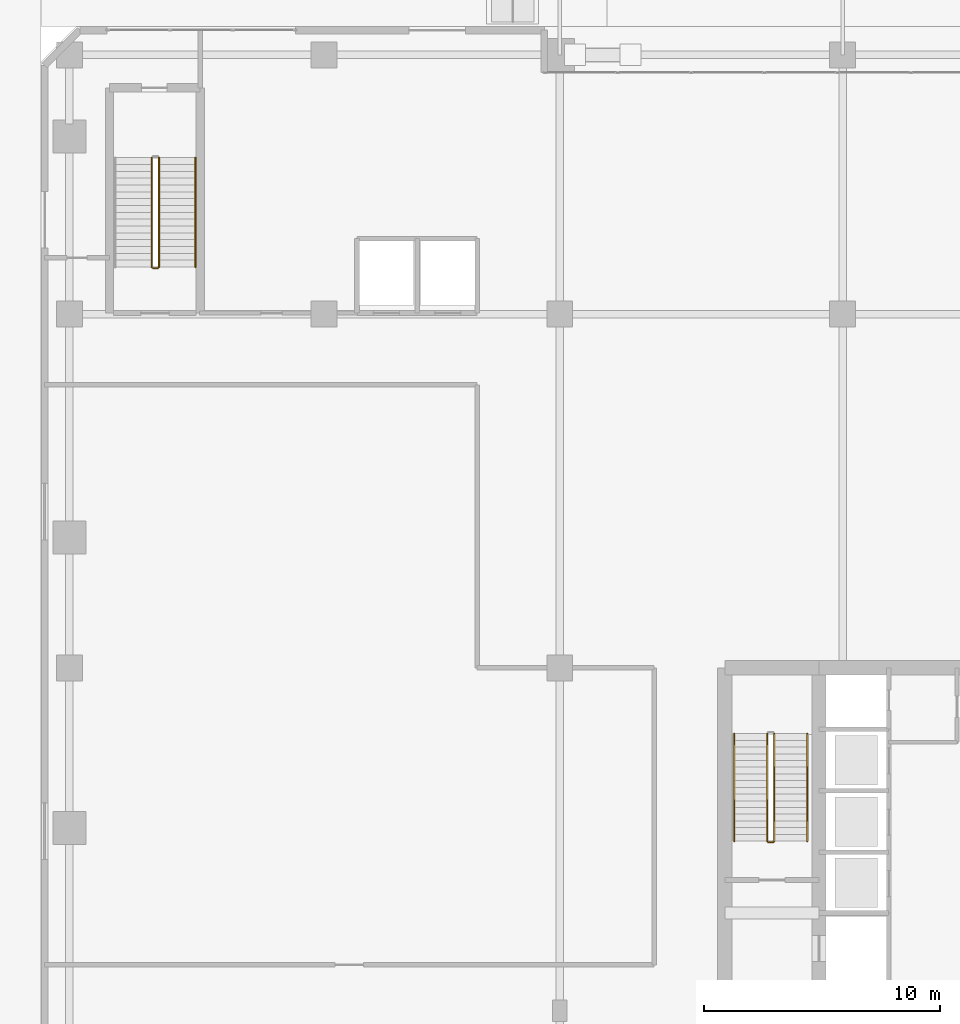
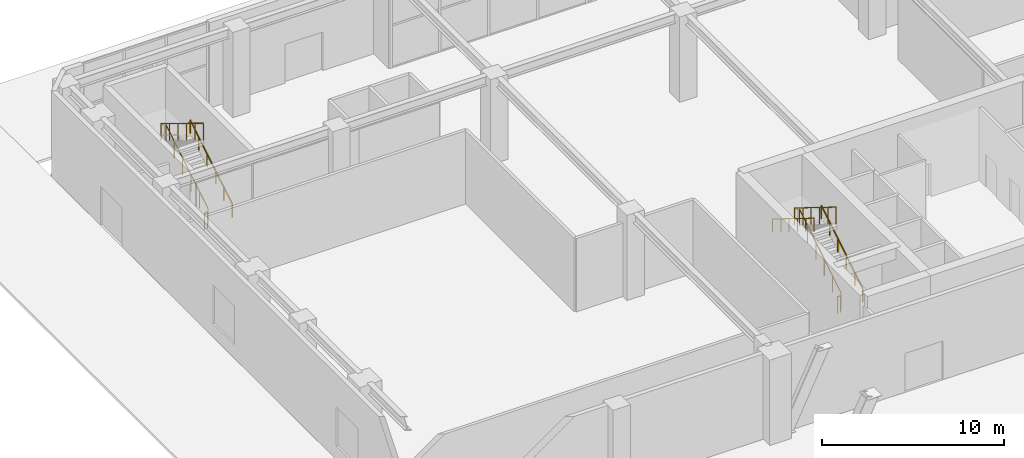
# One storey, part 43 of 49: 9 railings.
"""IFC4 building model written with IfcOpenShell, lengths in metres."""

from ifc_helpers import new_model, si_unit, direction, frame, origin, origin_2d, place, context, subcontext, project, spatial, rectangle, extrude, material, type_object, element, save


model = new_model("IFC4")

# Units and contexts
model_context = context("Model", 3, precision=1e-05, world=origin(), true_north=direction((0.0, 1.0)))
body_context = subcontext(model_context, "Body", "Model", "MODEL_VIEW")
ifc_project = project(units=[si_unit("LENGTHUNIT", "METRE"), si_unit("AREAUNIT", "SQUARE_METRE"), si_unit("VOLUMEUNIT", "CUBIC_METRE"), si_unit("PLANEANGLEUNIT", "RADIAN"), si_unit("MASSUNIT", "GRAM", prefix="KILO")], contexts=[model_context])

# Site, building, storey
site_placement = place(None, origin())
site = spatial("IfcSite", under=ifc_project, at=site_placement, CompositionType="ELEMENT")
building_placement = place(site_placement, origin())
building = spatial("IfcBuilding", under=site, at=building_placement, Name="Sarneth Arch Tower", CompositionType="ELEMENT")
storey_placement = place(building_placement, origin())
storey = spatial("IfcBuildingStorey", under=building, at=storey_placement, Name="L00", CompositionType="ELEMENT", Elevation=0.0)

# Railings
ifc_material_1 = material(Name="Brushed Stainless Steel 304 tubular handrail", Category="steel")
railing_type_1 = type_object("IfcRailingType", Name="RAIL-HANDRAIL-900", PredefinedType="HANDRAIL", material=ifc_material_1)
railing_1_placement = place(storey_placement, frame((40.5, 41.449951171875, 0.176513671875)))
element("IfcRailing", 1, at=railing_1_placement, inside=storey, type_object=railing_type_1, Name="L00 ST-1 stair handrail 1", PredefinedType="HANDRAIL", context=body_context, shape_type="SweptSolid", body=[
    extrude(rectangle(XDim=0.048095703125, YDim=0.048095703125, at=origin_2d()), frame((0.0, 0.0, 0.8759765625), z_axis=(0.0, 0.850215668316, 0.526434532824), x_axis=(-1.0, 0.0, 0.0)), (0.0, 0.0, 1.0), 5.363525390625),
    extrude(rectangle(XDim=0.0419921875, YDim=0.0419921875, at=origin_2d()), origin(), (0.0, 0.0, 1.0), 0.851806640625),
    extrude(rectangle(XDim=0.0419921875, YDim=0.0419921875, at=origin_2d()), frame((0.0, 0.912109375, 0.564697265625)), (0.0, 0.0, 1.0), 0.851806640625),
    extrude(rectangle(XDim=0.0419921875, YDim=0.0419921875, at=origin_2d()), frame((0.0, 1.823974609375, 1.12939453125)), (0.0, 0.0, 1.0), 0.851806640625),
    extrude(rectangle(XDim=0.0419921875, YDim=0.0419921875, at=origin_2d()), frame((0.0, 2.736083984375, 1.694091796875)), (0.0, 0.0, 1.0), 0.851806640625),
    extrude(rectangle(XDim=0.0419921875, YDim=0.0419921875, at=origin_2d()), frame((0.0, 3.64794921875, 2.2587890625)), (0.0, 0.0, 1.0), 0.851806640625),
    extrude(rectangle(XDim=0.0419921875, YDim=0.0419921875, at=origin_2d()), frame((0.0, 4.56005859375, 2.823486328125)), (0.0, 0.0, 1.0), 0.851806640625),
])
railing_2_placement = place(storey_placement, frame((37.39990234375, 46.010009765625, 3.176513671875)))
element("IfcRailing", 2, at=railing_2_placement, inside=storey, type_object=railing_type_1, Name="L00 ST-1 stair handrail 2", PredefinedType="HANDRAIL", context=body_context, shape_type="SweptSolid", body=[
    extrude(rectangle(XDim=0.048095703125, YDim=0.048095703125, at=origin_2d()), frame((0.0, 0.0, 0.8759765625), z_axis=(0.0, -0.850215668316, 0.526434532824), x_axis=(1.0, 0.0, 0.0)), (0.0, 0.0, 1.0), 5.363525390625),
    extrude(rectangle(XDim=0.0419921875, YDim=0.0419921875, at=origin_2d()), origin(), (0.0, 0.0, 1.0), 0.851806640625),
    extrude(rectangle(XDim=0.0419921875, YDim=0.0419921875, at=origin_2d()), frame((0.0, -0.912109375, 0.564697265625)), (0.0, 0.0, 1.0), 0.851806640625),
    extrude(rectangle(XDim=0.0419921875, YDim=0.0419921875, at=origin_2d()), frame((0.0, -1.823974609375, 1.12939453125)), (0.0, 0.0, 1.0), 0.851806640625),
    extrude(rectangle(XDim=0.0419921875, YDim=0.0419921875, at=origin_2d()), frame((0.0, -2.736083984375, 1.694091796875)), (0.0, 0.0, 1.0), 0.851806640625),
    extrude(rectangle(XDim=0.0419921875, YDim=0.0419921875, at=origin_2d()), frame((0.0, -3.64794921875, 2.2587890625)), (0.0, 0.0, 1.0), 0.851806640625),
    extrude(rectangle(XDim=0.0419921875, YDim=0.0419921875, at=origin_2d()), frame((0.0, -4.56005859375, 2.823486328125)), (0.0, 0.0, 1.0), 0.851806640625),
])
railing_3_placement = place(storey_placement, frame((14.550048828125, 65.800048828125, 0.176513671875)))
element("IfcRailing", 3, at=railing_3_placement, inside=storey, type_object=railing_type_1, Name="L00 ST-P1 stair handrail 1", PredefinedType="HANDRAIL", context=body_context, shape_type="SweptSolid", body=[
    extrude(rectangle(XDim=0.048095703125, YDim=0.048095703125, at=origin_2d()), frame((0.0, 0.0, 0.8759765625), z_axis=(0.0, 0.854263648073, 0.51983999421), x_axis=(-1.0, 0.0, 0.0)), (0.0, 0.0, 1.0), 5.431396484375),
    extrude(rectangle(XDim=0.0419921875, YDim=0.0419921875, at=origin_2d()), origin(), (0.0, 0.0, 1.0), 0.851806640625),
    extrude(rectangle(XDim=0.0419921875, YDim=0.0419921875, at=origin_2d()), frame((0.0, 0.927978515625, 0.564697265625)), (0.0, 0.0, 1.0), 0.851806640625),
    extrude(rectangle(XDim=0.0419921875, YDim=0.0419921875, at=origin_2d()), frame((0.0, 1.85595703125, 1.12939453125)), (0.0, 0.0, 1.0), 0.851806640625),
    extrude(rectangle(XDim=0.0419921875, YDim=0.0419921875, at=origin_2d()), frame((0.0, 2.783935546875, 1.694091796875)), (0.0, 0.0, 1.0), 0.851806640625),
    extrude(rectangle(XDim=0.0419921875, YDim=0.0419921875, at=origin_2d()), frame((0.0, 3.7119140625, 2.2587890625)), (0.0, 0.0, 1.0), 0.851806640625),
    extrude(rectangle(XDim=0.0419921875, YDim=0.0419921875, at=origin_2d()), frame((0.0, 4.639892578125, 2.823486328125)), (0.0, 0.0, 1.0), 0.851806640625),
])
ifc_material_2 = material(Name="Painted Steel S275 stair well guard", Category="steel")
railing_type_2 = type_object("IfcRailingType", Name="RAIL-STAIR-GUARD", PredefinedType="GUARDRAIL", material=ifc_material_2)
railing_4_placement = place(storey_placement, frame((39.10009765625, 41.449951171875, 0.176513671875)))
element("IfcRailing", 4, at=railing_4_placement, inside=storey, type_object=railing_type_2, Name="L00 ST-1 stair guard 1", PredefinedType="GUARDRAIL", context=body_context, shape_type="SweptSolid", body=[
    extrude(rectangle(XDim=0.048095703125, YDim=0.048095703125, at=origin_2d()), frame((0.0, 0.0, 1.1259765625), z_axis=(0.0, 0.850215668316, 0.526434532824), x_axis=(-1.0, 0.0, 0.0)), (0.0, 0.0, 1.0), 5.363525390625),
    extrude(rectangle(XDim=0.0419921875, YDim=0.0419921875, at=origin_2d()), origin(), (0.0, 0.0, 1.0), 1.101806640625),
    extrude(rectangle(XDim=0.0419921875, YDim=0.0419921875, at=origin_2d()), frame((0.0, 0.912109375, 0.564697265625)), (0.0, 0.0, 1.0), 1.101806640625),
    extrude(rectangle(XDim=0.0419921875, YDim=0.0419921875, at=origin_2d()), frame((0.0, 1.823974609375, 1.12939453125)), (0.0, 0.0, 1.0), 1.101806640625),
    extrude(rectangle(XDim=0.0419921875, YDim=0.0419921875, at=origin_2d()), frame((0.0, 2.736083984375, 1.694091796875)), (0.0, 0.0, 1.0), 1.101806640625),
    extrude(rectangle(XDim=0.0419921875, YDim=0.0419921875, at=origin_2d()), frame((0.0, 3.64794921875, 2.2587890625)), (0.0, 0.0, 1.0), 1.101806640625),
    extrude(rectangle(XDim=0.0419921875, YDim=0.0419921875, at=origin_2d()), frame((0.0, 4.56005859375, 2.823486328125)), (0.0, 0.0, 1.0), 1.101806640625),
])
railing_5_placement = place(storey_placement, frame((38.800048828125, 46.010009765625, 3.176513671875)))
element("IfcRailing", 5, at=railing_5_placement, inside=storey, type_object=railing_type_2, Name="L00 ST-1 stair guard 3", PredefinedType="GUARDRAIL", context=body_context, shape_type="SweptSolid", body=[
    extrude(rectangle(XDim=0.048095703125, YDim=0.048095703125, at=origin_2d()), frame((0.0, 0.0, 1.1259765625), z_axis=(0.0, -0.850215668316, 0.526434532824), x_axis=(1.0, 0.0, 0.0)), (0.0, 0.0, 1.0), 5.363525390625),
    extrude(rectangle(XDim=0.0419921875, YDim=0.0419921875, at=origin_2d()), origin(), (0.0, 0.0, 1.0), 1.101806640625),
    extrude(rectangle(XDim=0.0419921875, YDim=0.0419921875, at=origin_2d()), frame((0.0, -0.912109375, 0.564697265625)), (0.0, 0.0, 1.0), 1.101806640625),
    extrude(rectangle(XDim=0.0419921875, YDim=0.0419921875, at=origin_2d()), frame((0.0, -1.823974609375, 1.12939453125)), (0.0, 0.0, 1.0), 1.101806640625),
    extrude(rectangle(XDim=0.0419921875, YDim=0.0419921875, at=origin_2d()), frame((0.0, -2.736083984375, 1.694091796875)), (0.0, 0.0, 1.0), 1.101806640625),
    extrude(rectangle(XDim=0.0419921875, YDim=0.0419921875, at=origin_2d()), frame((0.0, -3.64794921875, 2.2587890625)), (0.0, 0.0, 1.0), 1.101806640625),
    extrude(rectangle(XDim=0.0419921875, YDim=0.0419921875, at=origin_2d()), frame((0.0, -4.56005859375, 2.823486328125)), (0.0, 0.0, 1.0), 1.101806640625),
])
railing_6_placement = place(storey_placement, frame((39.050048828125, 41.39990234375, 0.0)))
element("IfcRailing", 6, at=railing_6_placement, inside=storey, type_object=railing_type_2, Name="L00 ST-1 stair guard 4", PredefinedType="GUARDRAIL", context=body_context, shape_type="SweptSolid", body=[
    extrude(rectangle(XDim=0.048095703125, YDim=0.048095703125, at=origin_2d()), frame((0.0, 0.0, 1.1259765625), z_axis=(-1.0, 0.0, 0.0), x_axis=(0.0, -1.0, 0.0)), (0.0, 0.0, 1.0), 0.199951171875),
    extrude(rectangle(XDim=0.0419921875, YDim=0.0419921875, at=origin_2d()), origin(), (0.0, 0.0, 1.0), 1.101806640625),
    extrude(rectangle(XDim=0.0419921875, YDim=0.0419921875, at=origin_2d()), frame((-0.199951171875, 0.0, 0.0)), (0.0, 0.0, 1.0), 1.101806640625),
])
railing_7_placement = place(storey_placement, frame((13.0, 65.800048828125, 0.176513671875)))
element("IfcRailing", 7, at=railing_7_placement, inside=storey, type_object=railing_type_2, Name="L00 ST-P1 stair guard 1", PredefinedType="GUARDRAIL", context=body_context, shape_type="SweptSolid", body=[
    extrude(rectangle(XDim=0.048095703125, YDim=0.048095703125, at=origin_2d()), frame((0.0, 0.0, 1.1259765625), z_axis=(0.0, 0.854263648073, 0.51983999421), x_axis=(-1.0, 0.0, 0.0)), (0.0, 0.0, 1.0), 5.431396484375),
    extrude(rectangle(XDim=0.0419921875, YDim=0.0419921875, at=origin_2d()), origin(), (0.0, 0.0, 1.0), 1.101806640625),
    extrude(rectangle(XDim=0.0419921875, YDim=0.0419921875, at=origin_2d()), frame((0.0, 0.927978515625, 0.564697265625)), (0.0, 0.0, 1.0), 1.101806640625),
    extrude(rectangle(XDim=0.0419921875, YDim=0.0419921875, at=origin_2d()), frame((0.0, 1.85595703125, 1.12939453125)), (0.0, 0.0, 1.0), 1.101806640625),
    extrude(rectangle(XDim=0.0419921875, YDim=0.0419921875, at=origin_2d()), frame((0.0, 2.783935546875, 1.694091796875)), (0.0, 0.0, 1.0), 1.101806640625),
    extrude(rectangle(XDim=0.0419921875, YDim=0.0419921875, at=origin_2d()), frame((0.0, 3.7119140625, 2.2587890625)), (0.0, 0.0, 1.0), 1.101806640625),
    extrude(rectangle(XDim=0.0419921875, YDim=0.0419921875, at=origin_2d()), frame((0.0, 4.639892578125, 2.823486328125)), (0.0, 0.0, 1.0), 1.101806640625),
])
railing_8_placement = place(storey_placement, frame((12.699951171875, 70.43994140625, 3.176513671875)))
element("IfcRailing", 8, at=railing_8_placement, inside=storey, type_object=railing_type_2, Name="L00 ST-P1 stair guard 3", PredefinedType="GUARDRAIL", context=body_context, shape_type="SweptSolid", body=[
    extrude(rectangle(XDim=0.048095703125, YDim=0.048095703125, at=origin_2d()), frame((0.0, 0.0, 1.1259765625), z_axis=(0.0, -0.854263648073, 0.51983999421), x_axis=(1.0, 0.0, 0.0)), (0.0, 0.0, 1.0), 5.431396484375),
    extrude(rectangle(XDim=0.0419921875, YDim=0.0419921875, at=origin_2d()), origin(), (0.0, 0.0, 1.0), 1.101806640625),
    extrude(rectangle(XDim=0.0419921875, YDim=0.0419921875, at=origin_2d()), frame((0.0, -0.927978515625, 0.564697265625)), (0.0, 0.0, 1.0), 1.101806640625),
    extrude(rectangle(XDim=0.0419921875, YDim=0.0419921875, at=origin_2d()), frame((0.0, -1.85595703125, 1.12939453125)), (0.0, 0.0, 1.0), 1.101806640625),
    extrude(rectangle(XDim=0.0419921875, YDim=0.0419921875, at=origin_2d()), frame((0.0, -2.783935546875, 1.694091796875)), (0.0, 0.0, 1.0), 1.101806640625),
    extrude(rectangle(XDim=0.0419921875, YDim=0.0419921875, at=origin_2d()), frame((0.0, -3.7119140625, 2.2587890625)), (0.0, 0.0, 1.0), 1.101806640625),
    extrude(rectangle(XDim=0.0419921875, YDim=0.0419921875, at=origin_2d()), frame((0.0, -4.639892578125, 2.823486328125)), (0.0, 0.0, 1.0), 1.101806640625),
])
railing_9_placement = place(storey_placement, frame((12.949951171875, 65.75, 0.0)))
element("IfcRailing", 9, at=railing_9_placement, inside=storey, type_object=railing_type_2, Name="L00 ST-P1 stair guard 4", PredefinedType="GUARDRAIL", context=body_context, shape_type="SweptSolid", body=[
    extrude(rectangle(XDim=0.048095703125, YDim=0.048095703125, at=origin_2d()), frame((0.0, 0.0, 1.1259765625), z_axis=(-1.0, 0.0, 0.0), x_axis=(0.0, -1.0, 0.0)), (0.0, 0.0, 1.0), 0.199951171875),
    extrude(rectangle(XDim=0.0419921875, YDim=0.0419921875, at=origin_2d()), origin(), (0.0, 0.0, 1.0), 1.101806640625),
    extrude(rectangle(XDim=0.0419921875, YDim=0.0419921875, at=origin_2d()), frame((-0.199951171875, 0.0, 0.0)), (0.0, 0.0, 1.0), 1.101806640625),
])

save(model, "model.ifc")
